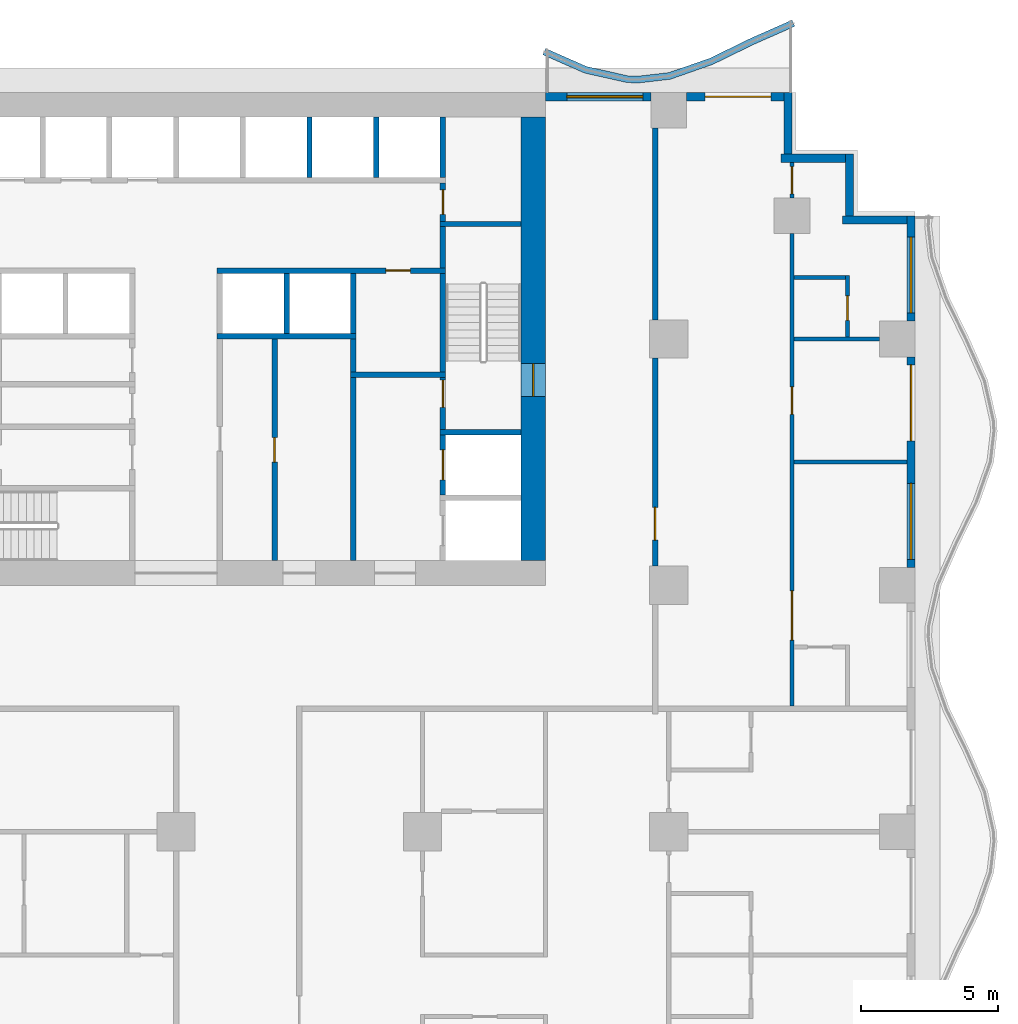
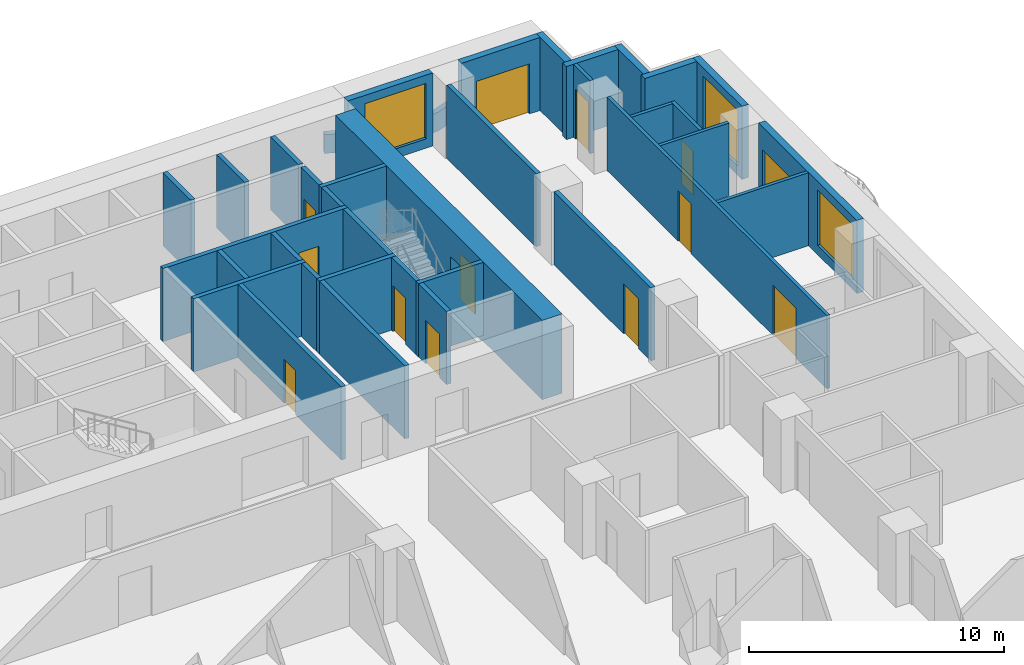
# One storey, part 6 of 14: 36 walls, 13 doors, 3 windows, 16 openings.
"""IFC4 building model written with IfcOpenShell, lengths in metres."""

from ifc_helpers import new_model, si_unit, direction, frame, frame_2d, origin, place, context, subcontext, project, spatial, polyline, rectangle, outline, extrude, material, layer, layer_set, type_object, element, fill, save


model = new_model("IFC4")

# Units and contexts
model_context = context("Model", 3, precision=1e-05, world=origin(), true_north=direction((0.0, 1.0)))
body_context = subcontext(model_context, "Body", "Model", "MODEL_VIEW")
ifc_project = project(units=[si_unit("LENGTHUNIT", "METRE"), si_unit("AREAUNIT", "SQUARE_METRE"), si_unit("VOLUMEUNIT", "CUBIC_METRE"), si_unit("PLANEANGLEUNIT", "RADIAN"), si_unit("MASSUNIT", "GRAM", prefix="KILO")], contexts=[model_context])

# Site, building, storey
site_placement = place(None, origin())
site = spatial("IfcSite", under=ifc_project, at=site_placement, CompositionType="ELEMENT")
building_placement = place(site_placement, origin())
building = spatial("IfcBuilding", under=site, at=building_placement, Name="Orbiselva Terraces", CompositionType="ELEMENT")
storey_placement = place(building_placement, frame((0.0, 0.0, 88.4)))
storey = spatial("IfcBuildingStorey", under=building, at=storey_placement, Name="L22", CompositionType="ELEMENT", Elevation=88.4)

# Wall, opening, door
ifc_material_1 = material(Name="Concrete C80/95", Category="concrete")
ifc_layer_1 = layer(ifc_material_1, 0.9)
ifc_layer_set_1 = layer_set([ifc_layer_1], Name="Concrete C80/95")
wall_type_1 = type_object("IfcWallType", Name="CORE WALL 900", PredefinedType="SHEAR", material=ifc_layer_set_1)
wall_1_placement = place(storey_placement, frame((13.05, 5.4, -0.3), z_axis=(0.0, 0.0, 1.0), x_axis=(0.0, 1.0, 0.0)))
wall_1 = element("IfcWall", 1, at=wall_1_placement, inside=storey, type_object=wall_type_1, Name="Core wall L22 east", PredefinedType="SHEAR", context=body_context, shape_type="SweptSolid", body=[
    extrude(rectangle(XDim=16.2, YDim=0.9, at=frame_2d((8.1, 0.0))), origin(), (0.0, 0.0, 1.0), 3.8),
])
opening_1_placement = place(wall_1_placement, frame((6.0, 0.0, 0.3)))
opening_1 = element("IfcOpeningElement", 2, at=opening_1_placement, cuts=wall_1, Name="Opening DS1200", PredefinedType="OPENING", context=body_context, shape_type="SweptSolid", body=[
    extrude(rectangle(XDim=1.2, YDim=2.2, at=frame_2d((0.6, 1.1))), frame((0.0, 0.46, 0.0), z_axis=(0.0, -1.0, 0.0), x_axis=(1.0, 0.0, 0.0)), (0.0, 0.0, 1.0), 0.92),
])
ifc_material_2 = material(Name="Steel fire door", Category="steel")
door_type_1 = type_object("IfcDoorType", Name="STAIR DOOR 1200", OperationType="NOTDEFINED", PredefinedType="DOOR", material=ifc_material_2)
door_1_placement = place(opening_1_placement, frame((1.2, 0.0, 0.0), z_axis=(0.0, 0.0, 1.0), x_axis=(-1.0, 0.0, 0.0)))
door_1 = element("IfcDoor", 3, at=door_1_placement, inside=storey, type_object=door_type_1, Name="L22 EXIT STAIR S2 door", OperationType="SINGLE_SWING_LEFT", OverallHeight=2.2, OverallWidth=1.2, PredefinedType="DOOR", context=body_context, shape_type="SweptSolid", body=[
    extrude(rectangle(XDim=1.2, YDim=2.2, at=frame_2d((0.6, 1.1))), frame((0.0, 0.025, 0.0), z_axis=(0.0, -1.0, 0.0), x_axis=(1.0, 0.0, 0.0)), (0.0, 0.0, 1.0), 0.05),
])
fill(opening_1, door_1)

ifc_material_3 = material(Name="Masonry blockwork", Category="masonry")
ifc_layer_2 = layer(ifc_material_3, 0.2)
ifc_layer_set_2 = layer_set([ifc_layer_2], Name="Masonry blockwork")
wall_type_2 = type_object("IfcWallType", Name="CORE-WALL-PARTITION-200", PredefinedType="PARTITIONING", material=ifc_layer_set_2)
wall_2_placement = place(storey_placement, frame((3.6, 13.5, 0.0), z_axis=(0.0, 0.0, 1.0), x_axis=(0.0, -1.0, 0.0)))
wall_2 = element("IfcWall", 4, at=wall_2_placement, inside=storey, type_object=wall_type_2, Name="L22 core wall 34", PredefinedType="PARTITIONING", context=body_context, shape_type="SweptSolid", body=[
    extrude(rectangle(XDim=8.1, YDim=0.2, at=frame_2d((4.05, 0.0))), origin(), (0.0, 0.0, 1.0), 3.5),
])
opening_2_placement = place(wall_2_placement, frame((3.6, 0.0, 0.0)))
opening_2 = element("IfcOpeningElement", 5, at=opening_2_placement, cuts=wall_2, Name="Opening DR900", PredefinedType="OPENING", context=body_context, shape_type="SweptSolid", body=[
    extrude(rectangle(XDim=0.9, YDim=2.1, at=frame_2d((0.45, 1.05))), frame((0.0, 0.11, 0.0), z_axis=(0.0, -1.0, 0.0), x_axis=(1.0, 0.0, 0.0)), (0.0, 0.0, 1.0), 0.22),
])
door_type_2 = type_object("IfcDoorType", Name="ROOM DOOR 900", OperationType="NOTDEFINED", PredefinedType="DOOR", material=ifc_material_2)
door_2_placement = place(opening_2_placement, origin())
door_2 = element("IfcDoor", 6, at=door_2_placement, inside=storey, type_object=door_type_2, Name="L22 SERVICE ROOM door", OperationType="SINGLE_SWING_RIGHT", OverallHeight=2.1, OverallWidth=0.9, PredefinedType="DOOR", context=body_context, shape_type="SweptSolid", body=[
    extrude(rectangle(XDim=0.9, YDim=2.1, at=frame_2d((0.45, 1.05))), frame((0.0, 0.025, 0.0), z_axis=(0.0, -1.0, 0.0), x_axis=(1.0, 0.0, 0.0)), (0.0, 0.0, 1.0), 0.05),
])
fill(opening_2, door_2)

# Wall
wall_3_placement = place(storey_placement, frame((6.475, 12.3, 0.0), z_axis=(0.0, 0.0, 1.0), x_axis=(0.0, 1.0, 0.0)))
element("IfcWall", 7, at=wall_3_placement, inside=storey, type_object=wall_type_2, Name="L22 core wall 39", PredefinedType="PARTITIONING", context=body_context, shape_type="SweptSolid", body=[
    extrude(rectangle(XDim=1.2, YDim=0.2, at=frame_2d((0.6, 0.0))), origin(), (0.0, 0.0, 1.0), 3.5),
])

# Wall, opening, door
wall_4_placement = place(storey_placement, frame((9.75, 19.2, 0.0), z_axis=(0.0, 0.0, 1.0), x_axis=(0.0, -1.0, 0.0)))
wall_4 = element("IfcWall", 8, at=wall_4_placement, inside=storey, type_object=wall_type_2, Name="L22 core wall 50", PredefinedType="PARTITIONING", context=body_context, shape_type="SweptSolid", body=[
    extrude(rectangle(XDim=1.4, YDim=0.2, at=frame_2d((0.7, 0.0))), origin(), (0.0, 0.0, 1.0), 3.5),
])
opening_3_placement = place(wall_4_placement, frame((0.25, 0.0, 0.0)))
opening_3 = element("IfcOpeningElement", 9, at=opening_3_placement, cuts=wall_4, Name="Opening DR900", PredefinedType="OPENING", context=body_context, shape_type="SweptSolid", body=[
    extrude(rectangle(XDim=0.9, YDim=2.1, at=frame_2d((0.45, 1.05))), frame((0.0, 0.11, 0.0), z_axis=(0.0, -1.0, 0.0), x_axis=(1.0, 0.0, 0.0)), (0.0, 0.0, 1.0), 0.22),
])
door_3_placement = place(opening_3_placement, origin())
door_3 = element("IfcDoor", 10, at=door_3_placement, inside=storey, type_object=door_type_2, Name="L22 COMMS RISER ROOM door", OperationType="SINGLE_SWING_RIGHT", OverallHeight=2.1, OverallWidth=0.9, PredefinedType="DOOR", context=body_context, shape_type="SweptSolid", body=[
    extrude(rectangle(XDim=0.9, YDim=2.1, at=frame_2d((0.45, 1.05))), frame((0.0, 0.025, 0.0), z_axis=(0.0, -1.0, 0.0), x_axis=(1.0, 0.0, 0.0)), (0.0, 0.0, 1.0), 0.05),
])
fill(opening_3, door_3)

# Walls
ifc_material_4 = material(Name="Concrete C40/50", Category="concrete")
ifc_layer_3 = layer(ifc_material_4, 0.2)
ifc_layer_set_3 = layer_set([ifc_layer_3], Name="Concrete C40/50")
wall_type_3 = type_object("IfcWallType", Name="CORE-WALL-SHAFT-200", PredefinedType="PARTITIONING", material=ifc_layer_set_3)
for number, where, z_axis, x_axis, name in (
    (11, (4.0375, 13.7, 0.0), (0.0, 0.0, 1.0), (0.0, 1.0, 0.0), "L22 core wall 35"),
    (12, (4.875, 19.4, 0.0), (0.0, 0.0, 1.0), (0.0, 1.0, 0.0), "L22 core wall 36"),
    (13, (6.475, 13.7, 0.0), (0.0, 0.0, 1.0), (0.0, 1.0, 0.0), "L22 core wall 40"),
    (14, (7.3125, 19.4, 0.0), (0.0, 0.0, 1.0), (0.0, 1.0, 0.0), "L22 core wall 41"),
    (15, (9.75, 19.4, 0.0), (0.0, 0.0, 1.0), (0.0, 1.0, 0.0), "L22 core wall 51"),
):
    element("IfcWall", number, at=place(storey_placement, frame(where, z_axis=z_axis, x_axis=x_axis)), inside=storey, type_object=wall_type_3, Name=name, PredefinedType="PARTITIONING", context=body_context, shape_type="SweptSolid", body=[
        extrude(rectangle(XDim=2.2, YDim=0.2, at=frame_2d((1.1, 0.0))), origin(), (0.0, 0.0, 1.0), 3.5),
    ])
ifc_material_5 = material(Name="Concrete C60/75", Category="concrete")
ifc_layer_4 = layer(ifc_material_5, 0.2)
ifc_layer_set_4 = layer_set([ifc_layer_4], Name="Concrete C60/75")
wall_type_4 = type_object("IfcWallType", Name="CORE-WALL-SHEAR-200", PredefinedType="SHEAR", material=ifc_layer_set_4)
wall_5_placement = place(storey_placement, frame((1.5, 13.6, 0.0), z_axis=(0.0, 0.0, 1.0), x_axis=(1.0, 0.0, 0.0)))
element("IfcWall", 16, at=wall_5_placement, inside=storey, type_object=wall_type_4, Name="L22 core wall 30", PredefinedType="SHEAR", context=body_context, shape_type="SweptSolid", body=[
    extrude(rectangle(XDim=5.075, YDim=0.2, at=frame_2d((2.5375, 0.0))), origin(), (0.0, 0.0, 1.0), 3.5),
])

# Wall, opening, door
wall_6_placement = place(storey_placement, frame((9.85, 16.0, 0.0), z_axis=(0.0, 0.0, 1.0), x_axis=(-1.0, 0.0, 0.0)))
wall_6 = element("IfcWall", 17, at=wall_6_placement, inside=storey, type_object=wall_type_4, Name="L22 core wall 32", PredefinedType="SHEAR", context=body_context, shape_type="SweptSolid", body=[
    extrude(rectangle(XDim=8.35, YDim=0.2, at=frame_2d((4.175, 0.0))), origin(), (0.0, 0.0, 1.0), 3.5),
])
opening_4_placement = place(wall_6_placement, frame((1.2875, 0.0, 0.0)))
opening_4 = element("IfcOpeningElement", 18, at=opening_4_placement, cuts=wall_6, Name="Opening DR900", PredefinedType="OPENING", context=body_context, shape_type="SweptSolid", body=[
    extrude(rectangle(XDim=0.9, YDim=2.1, at=frame_2d((0.45, 1.05))), frame((0.0, 0.11, 0.0), z_axis=(0.0, -1.0, 0.0), x_axis=(1.0, 0.0, 0.0)), (0.0, 0.0, 1.0), 0.22),
])
door_4_placement = place(opening_4_placement, origin())
door_4 = element("IfcDoor", 19, at=door_4_placement, inside=storey, type_object=door_type_2, Name="L22 PIPE RISER ROOM door", OperationType="SINGLE_SWING_LEFT", OverallHeight=2.1, OverallWidth=0.9, PredefinedType="DOOR", context=body_context, shape_type="SweptSolid", body=[
    extrude(rectangle(XDim=0.9, YDim=2.1, at=frame_2d((0.45, 1.05))), frame((0.0, 0.025, 0.0), z_axis=(0.0, -1.0, 0.0), x_axis=(1.0, 0.0, 0.0)), (0.0, 0.0, 1.0), 0.05),
])
fill(opening_4, door_4)

# Walls
wall_7_placement = place(storey_placement, frame((6.475, 5.4, 0.0), z_axis=(0.0, 0.0, 1.0), x_axis=(0.0, 1.0, 0.0)))
element("IfcWall", 20, at=wall_7_placement, inside=storey, type_object=wall_type_4, Name="L22 core wall 37", PredefinedType="SHEAR", context=body_context, shape_type="SweptSolid", body=[
    extrude(rectangle(XDim=6.7, YDim=0.2, at=frame_2d((3.35, 0.0))), origin(), (0.0, 0.0, 1.0), 3.5),
])
wall_8_placement = place(storey_placement, frame((6.375, 12.2, 0.0), z_axis=(0.0, 0.0, 1.0), x_axis=(1.0, 0.0, 0.0)))
element("IfcWall", 21, at=wall_8_placement, inside=storey, type_object=wall_type_4, Name="L22 core wall 38", PredefinedType="SHEAR", context=body_context, shape_type="SweptSolid", body=[
    extrude(rectangle(XDim=3.475, YDim=0.2, at=frame_2d((1.7375, 0.0))), origin(), (0.0, 0.0, 1.0), 3.5),
])

# Wall, opening, door
wall_9_placement = place(storey_placement, frame((9.75, 7.8, 0.0), z_axis=(0.0, 0.0, 1.0), x_axis=(0.0, 1.0, 0.0)))
wall_9 = element("IfcWall", 22, at=wall_9_placement, inside=storey, type_object=wall_type_4, Name="L22 core wall 44", PredefinedType="SHEAR", context=body_context, shape_type="SweptSolid", body=[
    extrude(rectangle(XDim=2.2, YDim=0.2, at=frame_2d((1.1, 0.0))), origin(), (0.0, 0.0, 1.0), 3.5),
])
opening_5_placement = place(wall_9_placement, frame((0.55, 0.0, 0.0)))
opening_5 = element("IfcOpeningElement", 23, at=opening_5_placement, cuts=wall_9, Name="Opening LD-FF2", PredefinedType="OPENING", context=body_context, shape_type="SweptSolid", body=[
    extrude(rectangle(XDim=1.1, YDim=2.1, at=frame_2d((0.55, 1.05))), frame((0.0, 0.11, 0.0), z_axis=(0.0, -1.0, 0.0), x_axis=(1.0, 0.0, 0.0)), (0.0, 0.0, 1.0), 0.22),
])
ifc_material_6 = material(Name="Stainless steel landing door", Category="steel")
door_type_3 = type_object("IfcDoorType", Name="LANDING DOOR 1100", OperationType="SLIDING_TO_LEFT", PredefinedType="DOOR", material=ifc_material_6)
door_5_placement = place(opening_5_placement, origin())
door_5 = element("IfcDoor", 24, at=door_5_placement, inside=storey, type_object=door_type_3, Name="L22 landing door FF2", OperationType="SLIDING_TO_RIGHT", OverallHeight=2.1, OverallWidth=1.1, PredefinedType="DOOR", context=body_context, shape_type="SweptSolid", body=[
    extrude(rectangle(XDim=1.1, YDim=2.1, at=frame_2d((0.55, 1.05))), frame((0.0, 0.025, 0.0), z_axis=(0.0, -1.0, 0.0), x_axis=(1.0, 0.0, 0.0)), (0.0, 0.0, 1.0), 0.05),
])
fill(opening_5, door_5)

# Wall
wall_10_placement = place(storey_placement, frame((9.65, 10.1, 0.0), z_axis=(0.0, 0.0, 1.0), x_axis=(1.0, 0.0, 0.0)))
element("IfcWall", 25, at=wall_10_placement, inside=storey, type_object=wall_type_4, Name="L22 core wall 45", PredefinedType="SHEAR", context=body_context, shape_type="SweptSolid", body=[
    extrude(rectangle(XDim=2.95, YDim=0.2, at=frame_2d((1.475, 0.0))), origin(), (0.0, 0.0, 1.0), 3.5),
])

# Wall, opening, door
wall_11_placement = place(storey_placement, frame((9.75, 12.1, 0.0), z_axis=(0.0, 0.0, 1.0), x_axis=(0.0, -1.0, 0.0)))
wall_11 = element("IfcWall", 26, at=wall_11_placement, inside=storey, type_object=wall_type_4, Name="L22 core wall 46", PredefinedType="SHEAR", context=body_context, shape_type="SweptSolid", body=[
    extrude(rectangle(XDim=1.9, YDim=0.2, at=frame_2d((0.95, 0.0))), origin(), (0.0, 0.0, 1.0), 3.5),
])
opening_6_placement = place(wall_11_placement, frame((0.1, 0.0, 0.0)))
opening_6 = element("IfcOpeningElement", 27, at=opening_6_placement, cuts=wall_11, Name="Opening DS1000", PredefinedType="OPENING", context=body_context, shape_type="SweptSolid", body=[
    extrude(rectangle(XDim=1.0, YDim=2.2, at=frame_2d((0.5, 1.1))), frame((0.0, 0.11, 0.0), z_axis=(0.0, -1.0, 0.0), x_axis=(1.0, 0.0, 0.0)), (0.0, 0.0, 1.0), 0.22),
])
door_type_4 = type_object("IfcDoorType", Name="STAIR DOOR 1000", OperationType="NOTDEFINED", PredefinedType="DOOR", material=ifc_material_2)
door_6_placement = place(opening_6_placement, origin())
door_6 = element("IfcDoor", 28, at=door_6_placement, inside=storey, type_object=door_type_4, Name="L22 FIRE-FIGHTING LOBBY TO EXIT STAIR S2 door", OperationType="SINGLE_SWING_LEFT", OverallHeight=2.2, OverallWidth=1.0, PredefinedType="DOOR", context=body_context, shape_type="SweptSolid", body=[
    extrude(rectangle(XDim=1.0, YDim=2.2, at=frame_2d((0.5, 1.1))), frame((0.0, 0.025, 0.0), z_axis=(0.0, -1.0, 0.0), x_axis=(1.0, 0.0, 0.0)), (0.0, 0.0, 1.0), 0.05),
])
fill(opening_6, door_6)

# Walls
wall_12_placement = place(storey_placement, frame((9.75, 12.3, 0.0), z_axis=(0.0, 0.0, 1.0), x_axis=(0.0, 1.0, 0.0)))
element("IfcWall", 29, at=wall_12_placement, inside=storey, type_object=wall_type_4, Name="L22 core wall 47", PredefinedType="SHEAR", context=body_context, shape_type="SweptSolid", body=[
    extrude(rectangle(XDim=3.6, YDim=0.2, at=frame_2d((1.8, 0.0))), origin(), (0.0, 0.0, 1.0), 3.5),
])
wall_13_placement = place(storey_placement, frame((9.75, 16.1, 0.0), z_axis=(0.0, 0.0, 1.0), x_axis=(0.0, 1.0, 0.0)))
element("IfcWall", 30, at=wall_13_placement, inside=storey, type_object=wall_type_4, Name="L22 core wall 48", PredefinedType="SHEAR", context=body_context, shape_type="SweptSolid", body=[
    extrude(rectangle(XDim=1.5, YDim=0.2, at=frame_2d((0.75, 0.0))), origin(), (0.0, 0.0, 1.0), 3.5),
])
wall_14_placement = place(storey_placement, frame((9.65, 17.7, 0.0), z_axis=(0.0, 0.0, 1.0), x_axis=(1.0, 0.0, 0.0)))
element("IfcWall", 31, at=wall_14_placement, inside=storey, type_object=wall_type_4, Name="L22 core wall 49", PredefinedType="SHEAR", context=body_context, shape_type="SweptSolid", body=[
    extrude(rectangle(XDim=2.95, YDim=0.2, at=frame_2d((1.475, 0.0))), origin(), (0.0, 0.0, 1.0), 3.5),
])
ifc_layer_5 = layer(ifc_material_4, 0.25)
ifc_layer_set_5 = layer_set([ifc_layer_5], Name="Concrete C40/50")
wall_type_5 = type_object("IfcWallType", Name="ENV-PLANTER-250x900", PredefinedType="USERDEFINED", material=ifc_layer_set_5)
wall_15_placement = place(storey_placement, origin())
element("IfcWall", 32, at=wall_15_placement, inside=storey, type_object=wall_type_5, Name="Balcony planter L22 NE", ObjectType="PLANTER", PredefinedType="USERDEFINED", context=body_context, shape_type="SweptSolid", body=[
    extrude(outline(polyline([(22.5, 25.148528), (21.0, 24.487721), (19.5, 23.755211), (18.0, 23.230792), (16.875, 23.1), (16.5, 23.114774), (15.0, 23.451472), (13.5, 24.112279), (13.399212, 23.883496), (14.921492, 23.212874), (16.467435, 22.865863), (16.884572, 22.849429), (18.056371, 22.985662), (19.59644, 23.524089), (21.105286, 24.260919), (22.600788, 24.919745), (22.5, 25.148528)])), origin(), (0.0, 0.0, 1.0), 0.9),
])

# Wall, openings, door, window
ifc_material_7 = material(Name="Terracotta cladding on masonry backing", Category="masonry")
ifc_layer_6 = layer(ifc_material_7, 0.3)
ifc_layer_set_6 = layer_set([ifc_layer_6], Name="Terracotta cladding on masonry backing")
wall_type_6 = type_object("IfcWallType", Name="ENV-WALL-TERRACOTTA-300", PredefinedType="SOLIDWALL", material=ifc_layer_set_6)
wall_16_placement = place(storey_placement, frame((26.85, 12.85, 0.0), z_axis=(0.0, 0.0, 1.0), x_axis=(0.0, -1.0, 0.0)))
wall_16 = element("IfcWall", 33, at=wall_16_placement, inside=storey, type_object=wall_type_6, Name="Facade wall L22 E", PredefinedType="SOLIDWALL", context=body_context, shape_type="SweptSolid", body=[
    extrude(rectangle(XDim=7.7, YDim=0.3, at=frame_2d((3.85, 0.0))), origin(), (0.0, 0.0, 1.0), 3.5),
])
opening_7_placement = place(wall_16_placement, frame((4.625, 0.0, 0.45)))
opening_7 = element("IfcOpeningElement", 34, at=opening_7_placement, cuts=wall_16, Name="Opening WN6", PredefinedType="OPENING", context=body_context, shape_type="SweptSolid", body=[
    extrude(rectangle(XDim=2.775, YDim=2.65, at=frame_2d((1.3875, 1.325))), frame((0.0, 0.16, 0.0), z_axis=(0.0, -1.0, 0.0), x_axis=(1.0, 0.0, 0.0)), (0.0, 0.0, 1.0), 0.32),
])
opening_8_placement = place(wall_16_placement, frame((0.3, 0.0, 0.0)))
opening_8 = element("IfcOpeningElement", 35, at=opening_8_placement, cuts=wall_16, Name="Opening Z2-B-E07", PredefinedType="OPENING", context=body_context, shape_type="SweptSolid", body=[
    extrude(rectangle(XDim=2.775, YDim=2.4, at=frame_2d((1.3875, 1.2))), frame((0.0, 0.16, 0.0), z_axis=(0.0, -1.0, 0.0), x_axis=(1.0, 0.0, 0.0)), (0.0, 0.0, 1.0), 0.32),
])
ifc_material_8 = material(Name="Clear low-e glazing in aluminium frame", Category="aluminium")
door_type_5 = type_object("IfcDoorType", Name="BALCONY DOOR 2775 X 2400", OperationType="DOUBLE_DOOR_SLIDING", PredefinedType="DOOR", material=ifc_material_8)
door_7_placement = place(opening_8_placement, origin())
door_7 = element("IfcDoor", 36, at=door_7_placement, inside=storey, type_object=door_type_5, Name="Z2-B-E07", OperationType="SINGLE_SWING_LEFT", OverallHeight=2.4, OverallWidth=2.775, PredefinedType="DOOR", context=body_context, shape_type="SweptSolid", body=[
    extrude(rectangle(XDim=2.775, YDim=2.4, at=frame_2d((1.3875, 1.2))), frame((0.0, 0.025, 0.0), z_axis=(0.0, -1.0, 0.0), x_axis=(1.0, 0.0, 0.0)), (0.0, 0.0, 1.0), 0.05),
])
fill(opening_8, door_7)
window_type = type_object("IfcWindowType", Name="WINDOW 2775 X 2650 S450", PartitioningType="TRIPLE_PANEL_VERTICAL", PredefinedType="WINDOW", material=ifc_material_8)
window_1_placement = place(opening_7_placement, origin())
window_1 = element("IfcWindow", 37, at=window_1_placement, inside=storey, type_object=window_type, Name="Window L22 E", OverallHeight=2.65, OverallWidth=2.775, PartitioningType="SINGLE_PANEL", PredefinedType="WINDOW", context=body_context, shape_type="SweptSolid", body=[
    extrude(rectangle(XDim=2.775, YDim=2.65, at=frame_2d((1.3875, 1.325))), frame((0.0, 0.03, 0.0), z_axis=(0.0, -1.0, 0.0), x_axis=(1.0, 0.0, 0.0)), (0.0, 0.0, 1.0), 0.06),
])
fill(opening_7, window_1)

# Wall, opening, window
wall_17_placement = place(storey_placement, frame((26.85, 18.0, 0.0), z_axis=(0.0, 0.0, 1.0), x_axis=(0.0, -1.0, 0.0)))
wall_17 = element("IfcWall", 38, at=wall_17_placement, inside=storey, type_object=wall_type_6, Name="Facade wall L22 E", PredefinedType="SOLIDWALL", context=body_context, shape_type="SweptSolid", body=[
    extrude(rectangle(XDim=3.85, YDim=0.3, at=frame_2d((1.925, 0.0))), origin(), (0.0, 0.0, 1.0), 3.5),
])
opening_9_placement = place(wall_17_placement, frame((0.775, 0.0, 0.45)))
opening_9 = element("IfcOpeningElement", 39, at=opening_9_placement, cuts=wall_17, Name="Opening WN6", PredefinedType="OPENING", context=body_context, shape_type="SweptSolid", body=[
    extrude(rectangle(XDim=2.775, YDim=2.65, at=frame_2d((1.3875, 1.325))), frame((0.0, 0.16, 0.0), z_axis=(0.0, -1.0, 0.0), x_axis=(1.0, 0.0, 0.0)), (0.0, 0.0, 1.0), 0.32),
])
window_2_placement = place(opening_9_placement, origin())
window_2 = element("IfcWindow", 40, at=window_2_placement, inside=storey, type_object=window_type, Name="Window L22 E", OverallHeight=2.65, OverallWidth=2.775, PartitioningType="SINGLE_PANEL", PredefinedType="WINDOW", context=body_context, shape_type="SweptSolid", body=[
    extrude(rectangle(XDim=2.775, YDim=2.65, at=frame_2d((1.3875, 1.325))), frame((0.0, 0.03, 0.0), z_axis=(0.0, -1.0, 0.0), x_axis=(1.0, 0.0, 0.0)), (0.0, 0.0, 1.0), 0.06),
])
fill(opening_9, window_2)

# Walls
wall_18_placement = place(storey_placement, frame((24.35, 17.85, 0.0), z_axis=(0.0, 0.0, 1.0), x_axis=(1.0, 0.0, 0.0)))
element("IfcWall", 41, at=wall_18_placement, inside=storey, type_object=wall_type_6, Name="Facade wall L22 STEP", PredefinedType="SOLIDWALL", context=body_context, shape_type="SweptSolid", body=[
    extrude(rectangle(XDim=2.35, YDim=0.3, at=frame_2d((1.175, 0.0))), origin(), (0.0, 0.0, 1.0), 3.5),
])
wall_19_placement = place(storey_placement, frame((24.6, 20.25, 0.0), z_axis=(0.0, 0.0, 1.0), x_axis=(0.0, -1.0, 0.0)))
element("IfcWall", 42, at=wall_19_placement, inside=storey, type_object=wall_type_6, Name="Facade wall L22 STEP", PredefinedType="SOLIDWALL", context=body_context, shape_type="SweptSolid", body=[
    extrude(rectangle(XDim=2.25, YDim=0.3, at=frame_2d((1.125, 0.0))), origin(), (0.0, 0.0, 1.0), 3.5),
])
wall_20_placement = place(storey_placement, frame((22.1, 20.1, 0.0), z_axis=(0.0, 0.0, 1.0), x_axis=(1.0, 0.0, 0.0)))
element("IfcWall", 43, at=wall_20_placement, inside=storey, type_object=wall_type_6, Name="Facade wall L22 STEP", PredefinedType="SOLIDWALL", context=body_context, shape_type="SweptSolid", body=[
    extrude(rectangle(XDim=2.35, YDim=0.3, at=frame_2d((1.175, 0.0))), origin(), (0.0, 0.0, 1.0), 3.5),
])
wall_21_placement = place(storey_placement, frame((22.35, 22.5, 0.0), z_axis=(0.0, 0.0, 1.0), x_axis=(0.0, -1.0, 0.0)))
element("IfcWall", 44, at=wall_21_placement, inside=storey, type_object=wall_type_6, Name="Facade wall L22 STEP", PredefinedType="SOLIDWALL", context=body_context, shape_type="SweptSolid", body=[
    extrude(rectangle(XDim=2.25, YDim=0.3, at=frame_2d((1.125, 0.0))), origin(), (0.0, 0.0, 1.0), 3.5),
])

# Wall, opening, door
wall_22_placement = place(storey_placement, frame((18.65, 22.35, 0.0), z_axis=(0.0, 0.0, 1.0), x_axis=(1.0, 0.0, 0.0)))
wall_22 = element("IfcWall", 45, at=wall_22_placement, inside=storey, type_object=wall_type_6, Name="Facade wall L22 NE", PredefinedType="SOLIDWALL", context=body_context, shape_type="SweptSolid", body=[
    extrude(rectangle(XDim=3.55, YDim=0.3, at=frame_2d((1.775, 0.0))), origin(), (0.0, 0.0, 1.0), 3.5),
])
opening_10_placement = place(wall_22_placement, frame((0.675, 0.0, 0.0)))
opening_10 = element("IfcOpeningElement", 46, at=opening_10_placement, cuts=wall_22, Name="Opening Z2-B-E18", PredefinedType="OPENING", context=body_context, shape_type="SweptSolid", body=[
    extrude(rectangle(XDim=2.4, YDim=2.4, at=frame_2d((1.2, 1.2))), frame((0.0, 0.16, 0.0), z_axis=(0.0, -1.0, 0.0), x_axis=(1.0, 0.0, 0.0)), (0.0, 0.0, 1.0), 0.32),
])
door_type_6 = type_object("IfcDoorType", Name="BALCONY DOOR 2400 X 2400", OperationType="DOUBLE_DOOR_SLIDING", PredefinedType="DOOR", material=ifc_material_8)
door_8_placement = place(opening_10_placement, origin())
door_8 = element("IfcDoor", 47, at=door_8_placement, inside=storey, type_object=door_type_6, Name="Z2-B-E18", OperationType="SINGLE_SWING_LEFT", OverallHeight=2.4, OverallWidth=2.4, PredefinedType="DOOR", context=body_context, shape_type="SweptSolid", body=[
    extrude(rectangle(XDim=2.4, YDim=2.4, at=frame_2d((1.2, 1.2))), frame((0.0, 0.025, 0.0), z_axis=(0.0, -1.0, 0.0), x_axis=(1.0, 0.0, 0.0)), (0.0, 0.0, 1.0), 0.05),
])
fill(opening_10, door_8)

# Wall, opening, window
wall_23_placement = place(storey_placement, frame((13.5, 22.35, 0.0), z_axis=(0.0, 0.0, 1.0), x_axis=(1.0, 0.0, 0.0)))
wall_23 = element("IfcWall", 48, at=wall_23_placement, inside=storey, type_object=wall_type_6, Name="Facade wall L22 NE", PredefinedType="SOLIDWALL", context=body_context, shape_type="SweptSolid", body=[
    extrude(rectangle(XDim=3.85, YDim=0.3, at=frame_2d((1.925, 0.0))), origin(), (0.0, 0.0, 1.0), 3.5),
])
opening_11_placement = place(wall_23_placement, frame((0.775, 0.0, 0.45)))
opening_11 = element("IfcOpeningElement", 49, at=opening_11_placement, cuts=wall_23, Name="Opening WN6", PredefinedType="OPENING", context=body_context, shape_type="SweptSolid", body=[
    extrude(rectangle(XDim=2.775, YDim=2.65, at=frame_2d((1.3875, 1.325))), frame((0.0, 0.16, 0.0), z_axis=(0.0, -1.0, 0.0), x_axis=(1.0, 0.0, 0.0)), (0.0, 0.0, 1.0), 0.32),
])
window_3_placement = place(opening_11_placement, origin())
window_3 = element("IfcWindow", 50, at=window_3_placement, inside=storey, type_object=window_type, Name="Window L22 NE", OverallHeight=2.65, OverallWidth=2.775, PartitioningType="SINGLE_PANEL", PredefinedType="WINDOW", context=body_context, shape_type="SweptSolid", body=[
    extrude(rectangle(XDim=2.775, YDim=2.65, at=frame_2d((1.3875, 1.325))), frame((0.0, 0.03, 0.0), z_axis=(0.0, -1.0, 0.0), x_axis=(1.0, 0.0, 0.0)), (0.0, 0.0, 1.0), 0.06),
])
fill(opening_11, window_3)

# Wall, opening, door
ifc_material_9 = material(Name="Plasterboard on steel stud partition", Category="steel")
ifc_layer_7 = layer(ifc_material_9, 0.2)
ifc_layer_set_7 = layer_set([ifc_layer_7], Name="Plasterboard on steel stud partition")
wall_type_7 = type_object("IfcWallType", Name="UNIT-ENTRANCE-WALL-200", PredefinedType="PARTITIONING", material=ifc_layer_set_7)
wall_24_placement = place(storey_placement, frame((17.5, 12.8, 0.0), z_axis=(0.0, 0.0, 1.0), x_axis=(0.0, -1.0, 0.0)))
wall_24 = element("IfcWall", 51, at=wall_24_placement, inside=storey, type_object=wall_type_7, Name="PARTITION L22-076", PredefinedType="PARTITIONING", context=body_context, shape_type="SweptSolid", body=[
    extrude(rectangle(XDim=7.6, YDim=0.2, at=frame_2d((3.8, 0.0))), origin(), (0.0, 0.0, 1.0), 3.5),
])
opening_12_placement = place(wall_24_placement, frame((5.45, 0.0, 0.0)))
opening_12 = element("IfcOpeningElement", 52, at=opening_12_placement, cuts=wall_24, Name="Opening Z2-B-09", PredefinedType="OPENING", context=body_context, shape_type="SweptSolid", body=[
    extrude(rectangle(XDim=1.2, YDim=2.4, at=frame_2d((0.6, 1.2))), frame((0.0, 0.11, 0.0), z_axis=(0.0, -1.0, 0.0), x_axis=(1.0, 0.0, 0.0)), (0.0, 0.0, 1.0), 0.22),
])
ifc_material_10 = material(Name="Painted timber door leaf", Category="wood")
door_type_7 = type_object("IfcDoorType", Name="ENTRANCE DOOR 1200", OperationType="NOTDEFINED", PredefinedType="DOOR", material=ifc_material_10)
door_9_placement = place(opening_12_placement, origin())
door_9 = element("IfcDoor", 53, at=door_9_placement, inside=storey, type_object=door_type_7, Name="Z2-B-09", OperationType="SINGLE_SWING_RIGHT", OverallHeight=2.4, OverallWidth=1.2, PredefinedType="DOOR", context=body_context, shape_type="SweptSolid", body=[
    extrude(rectangle(XDim=1.2, YDim=2.4, at=frame_2d((0.6, 1.2))), frame((0.0, 0.025, 0.0), z_axis=(0.0, -1.0, 0.0), x_axis=(1.0, 0.0, 0.0)), (0.0, 0.0, 1.0), 0.05),
])
fill(opening_12, door_9)

# Walls
wall_25_placement = place(storey_placement, frame((17.5, 14.2, 0.0), z_axis=(0.0, 0.0, 1.0), x_axis=(0.0, 1.0, 0.0)))
element("IfcWall", 54, at=wall_25_placement, inside=storey, type_object=wall_type_7, Name="PARTITION L22-077", PredefinedType="PARTITIONING", context=body_context, shape_type="SweptSolid", body=[
    extrude(rectangle(XDim=7.0, YDim=0.2, at=frame_2d((3.5, 0.0))), origin(), (0.0, 0.0, 1.0), 3.5),
])
ifc_layer_8 = layer(ifc_material_9, 0.15)
ifc_layer_set_8 = layer_set([ifc_layer_8], Name="Plasterboard on steel stud partition")
wall_type_8 = type_object("IfcWallType", Name="UNIT-PARTITION-150", PredefinedType="PARTITIONING", material=ifc_layer_set_8)
wall_26_placement = place(storey_placement, frame((22.575, 9.0, 0.0), z_axis=(0.0, 0.0, 1.0), x_axis=(1.0, 0.0, 0.0)))
element("IfcWall", 55, at=wall_26_placement, inside=storey, type_object=wall_type_8, Name="PARTITION L22-036", PredefinedType="PARTITIONING", context=body_context, shape_type="SweptSolid", body=[
    extrude(rectangle(XDim=4.125, YDim=0.15, at=frame_2d((2.0625, 0.0))), origin(), (0.0, 0.0, 1.0), 3.5),
])
wall_27_placement = place(storey_placement, frame((22.575, 13.5, 0.0), z_axis=(0.0, 0.0, 1.0), x_axis=(1.0, 0.0, 0.0)))
element("IfcWall", 56, at=wall_27_placement, inside=storey, type_object=wall_type_8, Name="PARTITION L22-039", PredefinedType="PARTITIONING", context=body_context, shape_type="SweptSolid", body=[
    extrude(rectangle(XDim=3.125, YDim=0.15, at=frame_2d((1.5625, 0.0))), origin(), (0.0, 0.0, 1.0), 3.5),
])
wall_28_placement = place(storey_placement, frame((22.575, 15.75, 0.0), z_axis=(0.0, 0.0, 1.0), x_axis=(1.0, 0.0, 0.0)))
element("IfcWall", 57, at=wall_28_placement, inside=storey, type_object=wall_type_8, Name="PARTITION L22-041", PredefinedType="PARTITIONING", context=body_context, shape_type="SweptSolid", body=[
    extrude(rectangle(XDim=1.875, YDim=0.15, at=frame_2d((0.9375, 0.0))), origin(), (0.0, 0.0, 1.0), 3.5),
])

# Wall, openings, doors
wall_29_placement = place(storey_placement, frame((22.5, 17.35, 0.0), z_axis=(0.0, 0.0, 1.0), x_axis=(0.0, -1.0, 0.0)))
wall_29 = element("IfcWall", 58, at=wall_29_placement, inside=storey, type_object=wall_type_8, Name="PARTITION L22-083", PredefinedType="PARTITIONING", context=body_context, shape_type="SweptSolid", body=[
    extrude(rectangle(XDim=17.25, YDim=0.15, at=frame_2d((8.625, 0.0))), origin(), (0.0, 0.0, 1.0), 3.5),
])
opening_13_placement = place(wall_29_placement, frame((13.05, 0.0, 0.0)))
opening_13 = element("IfcOpeningElement", 59, at=opening_13_placement, cuts=wall_29, Name="Opening Z2-B-10", PredefinedType="OPENING", context=body_context, shape_type="SweptSolid", body=[
    extrude(rectangle(XDim=1.8, YDim=2.4, at=frame_2d((0.9, 1.2))), frame((0.0, 0.085, 0.0), z_axis=(0.0, -1.0, 0.0), x_axis=(1.0, 0.0, 0.0)), (0.0, 0.0, 1.0), 0.17),
])
opening_14_placement = place(wall_29_placement, frame((5.6, 0.0, 0.0)))
opening_14 = element("IfcOpeningElement", 60, at=opening_14_placement, cuts=wall_29, Name="Opening Z2-B-12", PredefinedType="OPENING", context=body_context, shape_type="SweptSolid", body=[
    extrude(rectangle(XDim=1.0, YDim=2.4, at=frame_2d((0.5, 1.2))), frame((0.0, 0.085, 0.0), z_axis=(0.0, -1.0, 0.0), x_axis=(1.0, 0.0, 0.0)), (0.0, 0.0, 1.0), 0.17),
])
door_type_8 = type_object("IfcDoorType", Name="DOUBLE DOOR 1800", OperationType="NOTDEFINED", PredefinedType="DOOR", material=ifc_material_10)
door_10_placement = place(opening_13_placement, origin())
door_10 = element("IfcDoor", 61, at=door_10_placement, inside=storey, type_object=door_type_8, Name="Z2-B-10", OperationType="DOUBLE_DOOR_SINGLE_SWING", OverallHeight=2.4, OverallWidth=1.8, PredefinedType="DOOR", context=body_context, shape_type="SweptSolid", body=[
    extrude(rectangle(XDim=1.8, YDim=2.4, at=frame_2d((0.9, 1.2))), frame((0.0, 0.025, 0.0), z_axis=(0.0, -1.0, 0.0), x_axis=(1.0, 0.0, 0.0)), (0.0, 0.0, 1.0), 0.05),
])
fill(opening_13, door_10)
door_type_9 = type_object("IfcDoorType", Name="ROOM DOOR 1000", OperationType="NOTDEFINED", PredefinedType="DOOR", material=ifc_material_10)
door_11_placement = place(opening_14_placement, origin())
door_11 = element("IfcDoor", 62, at=door_11_placement, inside=storey, type_object=door_type_9, Name="Z2-B-12", OperationType="SINGLE_SWING_LEFT", OverallHeight=2.4, OverallWidth=1.0, PredefinedType="DOOR", context=body_context, shape_type="SweptSolid", body=[
    extrude(rectangle(XDim=1.0, YDim=2.4, at=frame_2d((0.5, 1.2))), frame((0.0, 0.025, 0.0), z_axis=(0.0, -1.0, 0.0), x_axis=(1.0, 0.0, 0.0)), (0.0, 0.0, 1.0), 0.05),
])
fill(opening_14, door_11)

# Wall, opening, door
wall_30_placement = place(storey_placement, frame((22.5, 19.95, 0.0), z_axis=(0.0, 0.0, 1.0), x_axis=(0.0, -1.0, 0.0)))
wall_30 = element("IfcWall", 63, at=wall_30_placement, inside=storey, type_object=wall_type_8, Name="PARTITION L22-084", PredefinedType="PARTITIONING", context=body_context, shape_type="SweptSolid", body=[
    extrude(rectangle(XDim=1.3, YDim=0.15, at=frame_2d((0.65, 0.0))), origin(), (0.0, 0.0, 1.0), 3.5),
])
opening_15_placement = place(wall_30_placement, frame((0.15, 0.0, 0.0)))
opening_15 = element("IfcOpeningElement", 64, at=opening_15_placement, cuts=wall_30, Name="Opening Z2-B-13", PredefinedType="OPENING", context=body_context, shape_type="SweptSolid", body=[
    extrude(rectangle(XDim=1.0, YDim=2.4, at=frame_2d((0.5, 1.2))), frame((0.0, 0.085, 0.0), z_axis=(0.0, -1.0, 0.0), x_axis=(1.0, 0.0, 0.0)), (0.0, 0.0, 1.0), 0.17),
])
door_12_placement = place(opening_15_placement, origin())
door_12 = element("IfcDoor", 65, at=door_12_placement, inside=storey, type_object=door_type_9, Name="Z2-B-13", OperationType="SINGLE_SWING_RIGHT", OverallHeight=2.4, OverallWidth=1.0, PredefinedType="DOOR", context=body_context, shape_type="SweptSolid", body=[
    extrude(rectangle(XDim=1.0, YDim=2.4, at=frame_2d((0.5, 1.2))), frame((0.0, 0.025, 0.0), z_axis=(0.0, -1.0, 0.0), x_axis=(1.0, 0.0, 0.0)), (0.0, 0.0, 1.0), 0.05),
])
fill(opening_15, door_12)

wall_31_placement = place(storey_placement, frame((24.525, 13.575, 0.0), z_axis=(0.0, 0.0, 1.0), x_axis=(0.0, 1.0, 0.0)))
wall_31 = element("IfcWall", 66, at=wall_31_placement, inside=storey, type_object=wall_type_8, Name="PARTITION L22-086", PredefinedType="PARTITIONING", context=body_context, shape_type="SweptSolid", body=[
    extrude(rectangle(XDim=2.25, YDim=0.15, at=frame_2d((1.125, 0.0))), origin(), (0.0, 0.0, 1.0), 3.5),
])
opening_16_placement = place(wall_31_placement, frame((0.6, 0.0, 0.0)))
opening_16 = element("IfcOpeningElement", 67, at=opening_16_placement, cuts=wall_31, Name="Opening Z2-B-14", PredefinedType="OPENING", context=body_context, shape_type="SweptSolid", body=[
    extrude(rectangle(XDim=0.9, YDim=2.1, at=frame_2d((0.45, 1.05))), frame((0.0, 0.085, 0.0), z_axis=(0.0, -1.0, 0.0), x_axis=(1.0, 0.0, 0.0)), (0.0, 0.0, 1.0), 0.17),
])
door_type_10 = type_object("IfcDoorType", Name="BATH DOOR 900", OperationType="NOTDEFINED", PredefinedType="DOOR", material=ifc_material_10)
door_13_placement = place(opening_16_placement, origin())
door_13 = element("IfcDoor", 68, at=door_13_placement, inside=storey, type_object=door_type_10, Name="Z2-B-14", OperationType="SINGLE_SWING_LEFT", OverallHeight=2.1, OverallWidth=0.9, PredefinedType="DOOR", context=body_context, shape_type="SweptSolid", body=[
    extrude(rectangle(XDim=0.9, YDim=2.1, at=frame_2d((0.45, 1.05))), frame((0.0, 0.025, 0.0), z_axis=(0.0, -1.0, 0.0), x_axis=(1.0, 0.0, 0.0)), (0.0, 0.0, 1.0), 0.05),
])
fill(opening_16, door_13)

save(model, "model.ifc")
